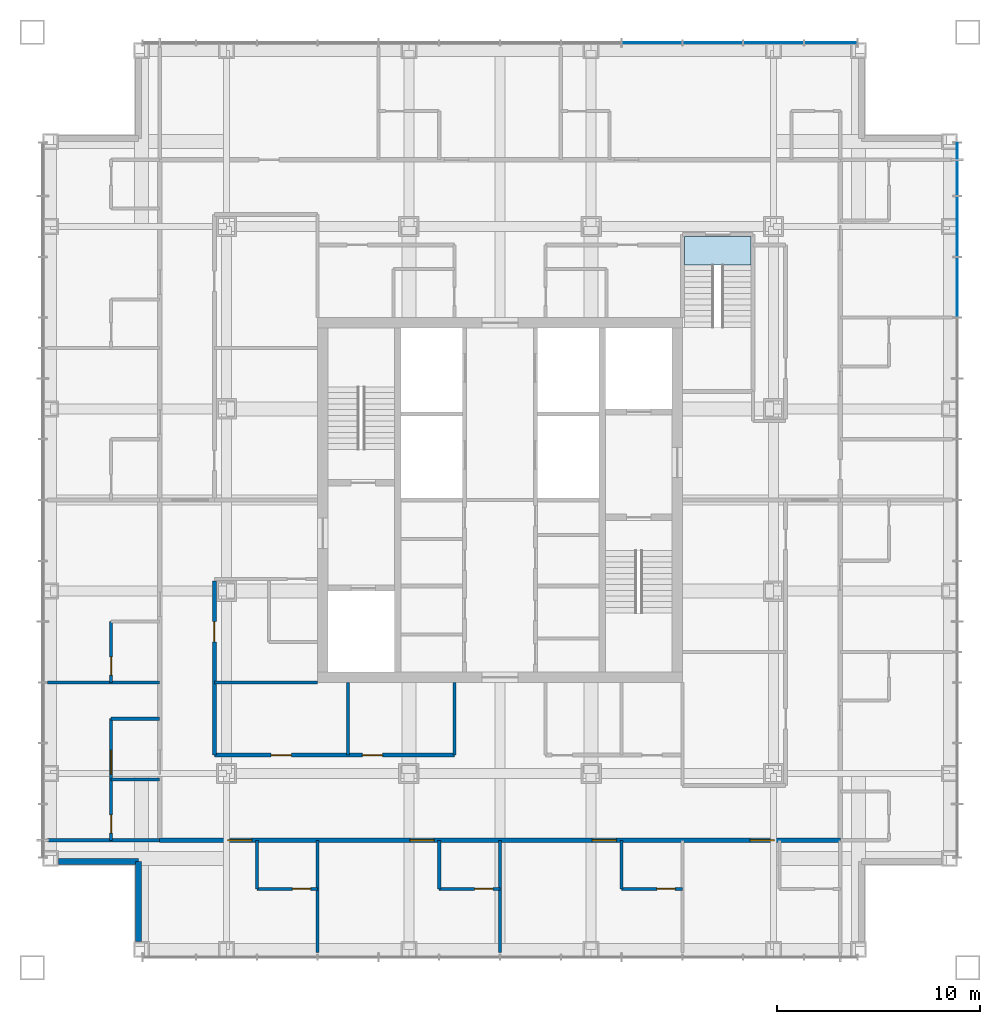
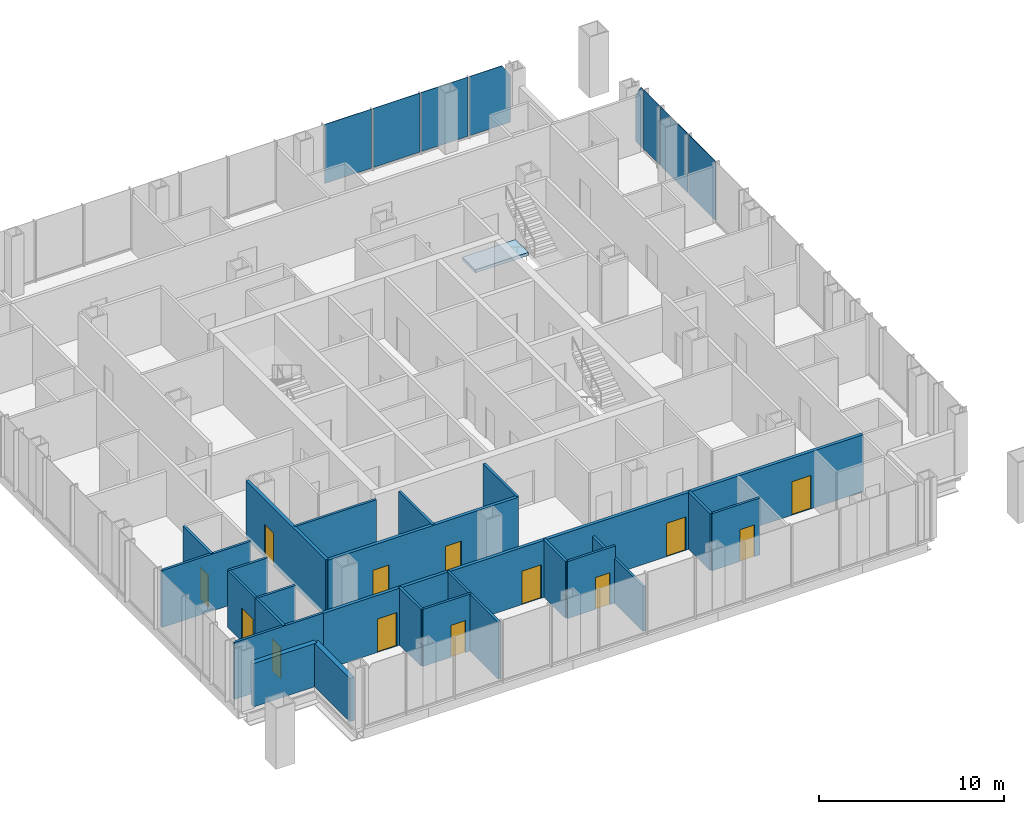
# One storey, part 6 of 11: 23 walls, 13 doors, 8 plates, 1 slab, 13 openings, 3 elements without a shape of their own.
"""IFC4 building model written with IfcOpenShell, lengths in metres."""

from ifc_helpers import new_model, si_unit, direction, frame, frame_2d, origin, origin_2d, place, context, subcontext, project, spatial, polyline, rectangle, outline, extrude, material, layer, layer_set, type_object, element, fill, aggregate, save


model = new_model("IFC4")

# Units and contexts
model_context = context("Model", 3, precision=1e-05, world=origin(), true_north=direction((0.0, 1.0)))
body_context = subcontext(model_context, "Body", "Model", "MODEL_VIEW")
ifc_project = project(units=[si_unit("LENGTHUNIT", "METRE"), si_unit("AREAUNIT", "SQUARE_METRE"), si_unit("VOLUMEUNIT", "CUBIC_METRE"), si_unit("PLANEANGLEUNIT", "RADIAN"), si_unit("MASSUNIT", "GRAM", prefix="KILO")], contexts=[model_context])

# Site, building, storey
site_placement = place(None, origin())
site = spatial("IfcSite", under=ifc_project, at=site_placement, CompositionType="ELEMENT")
building_placement = place(site_placement, origin())
building = spatial("IfcBuilding", under=site, at=building_placement, Name="Malebo Sky Hospital", CompositionType="ELEMENT")
storey_placement = place(building_placement, frame((0.0, 0.0, 213.0)))
storey = spatial("IfcBuildingStorey", under=building, at=storey_placement, Name="L51", CompositionType="ELEMENT", Elevation=213.0)

# Stair, slab
ifc_material_1 = material(Name="Concrete C40/50", Category="concrete")
stair_type = type_object("IfcStairType", Name="HALF-TURN STAIR 1400 R167", PredefinedType="HALF_TURN_STAIR", material=ifc_material_1)
stair_placement = place(storey_placement, origin())
stair = element("IfcStair", 1, at=stair_placement, inside=storey, type_object=stair_type, Name="Stair S3 L51 type ST1B", PredefinedType="HALF_TURN_STAIR")
ifc_layer_1 = layer(ifc_material_1, 0.199951171875)
ifc_layer_set_1 = layer_set([ifc_layer_1], Name="STAIR LANDING 200")
slab_type = type_object("IfcSlabType", Name="STAIR LANDING 200", PredefinedType="LANDING", material=ifc_layer_set_1)
slab_placement = place(storey_placement, frame((0.0, 0.0, -0.199951171875)))
slab = element("IfcSlab", 2, at=slab_placement, type_object=slab_type, Name="S3 landing 1", PredefinedType="LANDING", context=body_context, shape_type="SweptSolid", body=[
    extrude(outline(polyline([(69.10009765625, 73.60009765625), (72.39990234375, 73.60009765625), (72.39990234375, 75.0), (69.10009765625, 75.0), (69.10009765625, 73.60009765625)])), origin(), (0.0, 0.0, 1.0), 0.199951171875),
])
aggregate(stair, [slab])

# Curtain wall, plates
ifc_material_2 = material(Name="Anodised aluminium, natural silver", Category="aluminium")
ifc_layer_2 = layer(ifc_material_2, 0.25)
ifc_layer_set_2 = layer_set([ifc_layer_2], Name="WARD CURTAIN WALL NORTH AND SOUTH")
curtain_wall_type_1 = type_object("IfcCurtainWallType", Name="WARD CURTAIN WALL NORTH AND SOUTH", PredefinedType="NOTDEFINED", material=ifc_layer_set_2)
curtain_wall_1_placement = place(storey_placement, origin())
curtain_wall_1 = element("IfcCurtainWall", 3, at=curtain_wall_1_placement, inside=storey, type_object=curtain_wall_type_1, Name="NS curtain wall N", PredefinedType="NOTDEFINED")
ifc_material_3 = material(Name="Clear low-iron double glazing", Category="glass")
ifc_layer_3 = layer(ifc_material_3, 0.031982421875)
ifc_layer_set_3 = layer_set([ifc_layer_3], Name="VISION PANEL CLEAR 32")
plate_type = type_object("IfcPlateType", Name="VISION PANEL CLEAR 32", PredefinedType="CURTAIN_PANEL", material=ifc_layer_set_3)
plate_1_placement = place(storey_placement, frame((67.5, 84.574951171875, 0.10009765625), z_axis=(0.0, 0.0, 1.0), x_axis=(1.0, 0.0, 0.0)))
plate_1 = element("IfcPlate", 4, at=plate_1_placement, type_object=plate_type, Name="Panel 10", PredefinedType="CURTAIN_PANEL", context=body_context, shape_type="SweptSolid", body=[
    extrude(rectangle(XDim=2.925048828125, YDim=0.031982421875, at=origin_2d()), origin(), (0.0, 0.0, 1.0), 3.889892578125),
])
plate_2_placement = place(storey_placement, frame((70.5, 84.574951171875, 0.10009765625), z_axis=(0.0, 0.0, 1.0), x_axis=(1.0, 0.0, 0.0)))
plate_2 = element("IfcPlate", 5, at=plate_2_placement, type_object=plate_type, Name="Panel 11", PredefinedType="CURTAIN_PANEL", context=body_context, shape_type="SweptSolid", body=[
    extrude(rectangle(XDim=2.925048828125, YDim=0.031982421875, at=origin_2d()), origin(), (0.0, 0.0, 1.0), 3.889892578125),
])
plate_3_placement = place(storey_placement, frame((73.5, 84.574951171875, 0.10009765625), z_axis=(0.0, 0.0, 1.0), x_axis=(1.0, 0.0, 0.0)))
plate_3 = element("IfcPlate", 6, at=plate_3_placement, type_object=plate_type, Name="Panel 12", PredefinedType="CURTAIN_PANEL", context=body_context, shape_type="SweptSolid", body=[
    extrude(rectangle(XDim=2.925048828125, YDim=0.031982421875, at=origin_2d()), origin(), (0.0, 0.0, 1.0), 3.889892578125),
])
plate_4_placement = place(storey_placement, frame((76.331298828125, 84.574951171875, 0.10009765625), z_axis=(0.0, 0.0, 1.0), x_axis=(1.0, 0.0, 0.0)))
plate_4 = element("IfcPlate", 7, at=plate_4_placement, type_object=plate_type, Name="Panel 13", PredefinedType="CURTAIN_PANEL", context=body_context, shape_type="SweptSolid", body=[
    extrude(outline(polyline([(-1.293701171875, 0.0), (1.293701171875, 0.0), (1.293701171875, 3.0595703125), (0.760986328125, 3.889892578125), (-1.293701171875, 3.889892578125), (-1.293701171875, 0.0)])), frame((0.0, 0.01611328125, 0.0), z_axis=(0.0, -1.0, 0.0), x_axis=(1.0, 0.0, 0.0)), (0.0, 0.0, 1.0), 0.031982421875),
])
aggregate(curtain_wall_1, [plate_1, plate_2, plate_3, plate_4])

ifc_layer_4 = layer(ifc_material_2, 0.25)
ifc_layer_set_4 = layer_set([ifc_layer_4], Name="WARD CURTAIN WALL EAST AND WEST")
curtain_wall_type_2 = type_object("IfcCurtainWallType", Name="WARD CURTAIN WALL EAST AND WEST", PredefinedType="NOTDEFINED", material=ifc_layer_set_4)
curtain_wall_2_placement = place(storey_placement, origin())
curtain_wall_2 = element("IfcCurtainWall", 8, at=curtain_wall_2_placement, inside=storey, type_object=curtain_wall_type_2, Name="EW curtain wall E", PredefinedType="NOTDEFINED")
plate_5_placement = place(storey_placement, frame((82.574951171875, 79.231201171875, 0.10009765625), z_axis=(0.0, 0.0, 1.0), x_axis=(0.0, -1.0, 0.0)))
plate_5 = element("IfcPlate", 9, at=plate_5_placement, type_object=plate_type, Name="Panel 1", PredefinedType="CURTAIN_PANEL", context=body_context, shape_type="SweptSolid", body=[
    extrude(outline(polyline([(-0.393798828125, 0.0), (0.393798828125, 0.0), (0.393798828125, 3.889892578125), (0.13916015625, 3.889892578125), (-0.393798828125, 3.0595703125), (-0.393798828125, 0.0)])), frame((0.0, 0.01611328125, 0.0), z_axis=(0.0, -1.0, 0.0), x_axis=(1.0, 0.0, 0.0)), (0.0, 0.0, 1.0), 0.031982421875),
])
plate_6_placement = place(storey_placement, frame((82.574951171875, 77.89990234375, 0.10009765625), z_axis=(0.0, 0.0, 1.0), x_axis=(0.0, -1.0, 0.0)))
plate_6 = element("IfcPlate", 10, at=plate_6_placement, type_object=plate_type, Name="Panel 2", PredefinedType="CURTAIN_PANEL", context=body_context, shape_type="SweptSolid", body=[
    extrude(rectangle(XDim=1.72509765625, YDim=0.031982421875, at=origin_2d()), origin(), (0.0, 0.0, 1.0), 3.889892578125),
])
plate_7_placement = place(storey_placement, frame((82.574951171875, 75.5, 0.10009765625), z_axis=(0.0, 0.0, 1.0), x_axis=(0.0, -1.0, 0.0)))
plate_7 = element("IfcPlate", 11, at=plate_7_placement, type_object=plate_type, Name="Panel 3", PredefinedType="CURTAIN_PANEL", context=body_context, shape_type="SweptSolid", body=[
    extrude(rectangle(XDim=2.925048828125, YDim=0.031982421875, at=origin_2d()), origin(), (0.0, 0.0, 1.0), 3.889892578125),
])
plate_8_placement = place(storey_placement, frame((82.574951171875, 72.5, 0.10009765625), z_axis=(0.0, 0.0, 1.0), x_axis=(0.0, -1.0, 0.0)))
plate_8 = element("IfcPlate", 12, at=plate_8_placement, type_object=plate_type, Name="Panel 4", PredefinedType="CURTAIN_PANEL", context=body_context, shape_type="SweptSolid", body=[
    extrude(rectangle(XDim=2.925048828125, YDim=0.031982421875, at=origin_2d()), origin(), (0.0, 0.0, 1.0), 3.889892578125),
])
aggregate(curtain_wall_2, [plate_5, plate_6, plate_7, plate_8])

# Wall, opening, door
ifc_material_4 = material(Name="Gypsum board on steel studs", Category="steel")
ifc_layer_5 = layer(ifc_material_4, 0.199951171875)
ifc_layer_set_5 = layer_set([ifc_layer_5], Name="CORRIDOR WALL 200")
wall_type_1 = type_object("IfcWallType", Name="CORRIDOR WALL 200", PredefinedType="PARTITIONING", material=ifc_layer_set_5)
wall_1_placement = place(storey_placement, frame((45.89990234375, 49.39990234375, 0.0), z_axis=(0.0, 0.0, 1.0), x_axis=(0.0, 1.0, 0.0)))
wall_1 = element("IfcWall", 13, at=wall_1_placement, inside=storey, type_object=wall_type_1, Name="Corridor Wall 200 WCI1", PredefinedType="PARTITIONING", context=body_context, shape_type="SweptSolid", body=[
    extrude(rectangle(XDim=8.60009765625, YDim=0.199951171875, at=frame_2d((4.300048828125, 0.0))), origin(), (0.0, 0.0, 1.0), 3.75),
])
opening_1_placement = place(wall_1_placement, frame((5.60009765625, 0.0, 0.0)))
opening_1 = element("IfcOpeningElement", 14, at=opening_1_placement, cuts=wall_1, Name="Opening D03", PredefinedType="OPENING", context=body_context, shape_type="SweptSolid", body=[
    extrude(rectangle(XDim=1.0, YDim=2.10009765625, at=frame_2d((0.5, 1.050048828125))), frame((0.0, 0.10986328125, 0.0), z_axis=(0.0, -1.0, 0.0), x_axis=(1.0, 0.0, 0.0)), (0.0, 0.0, 1.0), 0.219970703125),
])
ifc_material_5 = material(Name="Hardwood-faced door leaf in steel frame", Category="steel")
door_type_1 = type_object("IfcDoorType", Name="ROOM DOOR 1000", OperationType="SINGLE_SWING_LEFT", PredefinedType="DOOR", material=ifc_material_5)
door_1_placement = place(opening_1_placement, origin())
door_1 = element("IfcDoor", 15, at=door_1_placement, inside=storey, type_object=door_type_1, Name="Medication room door", OperationType="SINGLE_SWING_LEFT", OverallHeight=2.10009765625, OverallWidth=1.0, PredefinedType="DOOR", context=body_context, shape_type="SweptSolid", body=[
    extrude(rectangle(XDim=1.0, YDim=2.10009765625, at=frame_2d((0.5, 1.050048828125))), frame((0.0, 0.02490234375, 0.0), z_axis=(0.0, -1.0, 0.0), x_axis=(1.0, 0.0, 0.0)), (0.0, 0.0, 1.0), 0.050048828125),
])
fill(opening_1, door_1)

# Wall, openings, doors
wall_2_placement = place(storey_placement, frame((76.800048828125, 45.199951171875, 0.0), z_axis=(0.0, 0.0, 1.0), x_axis=(-1.0, 0.0, 0.0)))
wall_2 = element("IfcWall", 16, at=wall_2_placement, inside=storey, type_object=wall_type_1, Name="Corridor Wall 200 SCO", PredefinedType="PARTITIONING", context=body_context, shape_type="SweptSolid", body=[
    extrude(rectangle(XDim=33.60009765625, YDim=0.199951171875, at=frame_2d((16.800048828125, 0.0))), origin(), (0.0, 0.0, 1.0), 3.75),
])
opening_2_placement = place(wall_2_placement, frame((3.25, 0.0, 0.0)))
opening_2 = element("IfcOpeningElement", 17, at=opening_2_placement, cuts=wall_2, Name="Opening D01", PredefinedType="OPENING", context=body_context, shape_type="SweptSolid", body=[
    extrude(rectangle(XDim=1.199951171875, YDim=2.199951171875, at=frame_2d((0.60009765625, 1.10009765625))), frame((0.0, 0.10986328125, 0.0), z_axis=(0.0, -1.0, 0.0), x_axis=(1.0, 0.0, 0.0)), (0.0, 0.0, 1.0), 0.219970703125),
])
opening_3_placement = place(wall_2_placement, frame((11.050048828125, 0.0, 0.0)))
opening_3 = element("IfcOpeningElement", 18, at=opening_3_placement, cuts=wall_2, Name="Opening D01", PredefinedType="OPENING", context=body_context, shape_type="SweptSolid", body=[
    extrude(rectangle(XDim=1.199951171875, YDim=2.199951171875, at=frame_2d((0.60009765625, 1.10009765625))), frame((0.0, 0.10986328125, 0.0), z_axis=(0.0, -1.0, 0.0), x_axis=(1.0, 0.0, 0.0)), (0.0, 0.0, 1.0), 0.219970703125),
])
opening_4_placement = place(wall_2_placement, frame((20.050048828125, 0.0, 0.0)))
opening_4 = element("IfcOpeningElement", 19, at=opening_4_placement, cuts=wall_2, Name="Opening D01", PredefinedType="OPENING", context=body_context, shape_type="SweptSolid", body=[
    extrude(rectangle(XDim=1.199951171875, YDim=2.199951171875, at=frame_2d((0.60009765625, 1.10009765625))), frame((0.0, 0.10986328125, 0.0), z_axis=(0.0, -1.0, 0.0), x_axis=(1.0, 0.0, 0.0)), (0.0, 0.0, 1.0), 0.219970703125),
])
opening_5_placement = place(wall_2_placement, frame((29.050048828125, 0.0, 0.0)))
opening_5 = element("IfcOpeningElement", 20, at=opening_5_placement, cuts=wall_2, Name="Opening D01", PredefinedType="OPENING", context=body_context, shape_type="SweptSolid", body=[
    extrude(rectangle(XDim=1.199951171875, YDim=2.199951171875, at=frame_2d((0.60009765625, 1.10009765625))), frame((0.0, 0.10986328125, 0.0), z_axis=(0.0, -1.0, 0.0), x_axis=(1.0, 0.0, 0.0)), (0.0, 0.0, 1.0), 0.219970703125),
])
door_type_2 = type_object("IfcDoorType", Name="BED DOOR 1200", OperationType="SINGLE_SWING_LEFT", PredefinedType="DOOR", material=ifc_material_5)
door_2_placement = place(opening_2_placement, origin())
door_2 = element("IfcDoor", 21, at=door_2_placement, inside=storey, type_object=door_type_2, Name="Two-bed room door", OperationType="SINGLE_SWING_LEFT", OverallHeight=2.199951171875, OverallWidth=1.199951171875, PredefinedType="DOOR", context=body_context, shape_type="SweptSolid", body=[
    extrude(rectangle(XDim=1.199951171875, YDim=2.199951171875, at=frame_2d((0.60009765625, 1.10009765625))), frame((0.0, 0.02490234375, 0.0), z_axis=(0.0, -1.0, 0.0), x_axis=(1.0, 0.0, 0.0)), (0.0, 0.0, 1.0), 0.050048828125),
])
fill(opening_2, door_2)
door_3_placement = place(opening_3_placement, origin())
door_3 = element("IfcDoor", 22, at=door_3_placement, inside=storey, type_object=door_type_2, Name="Two-bed room door", OperationType="SINGLE_SWING_LEFT", OverallHeight=2.199951171875, OverallWidth=1.199951171875, PredefinedType="DOOR", context=body_context, shape_type="SweptSolid", body=[
    extrude(rectangle(XDim=1.199951171875, YDim=2.199951171875, at=frame_2d((0.60009765625, 1.10009765625))), frame((0.0, 0.02490234375, 0.0), z_axis=(0.0, -1.0, 0.0), x_axis=(1.0, 0.0, 0.0)), (0.0, 0.0, 1.0), 0.050048828125),
])
fill(opening_3, door_3)
door_4_placement = place(opening_4_placement, origin())
door_4 = element("IfcDoor", 23, at=door_4_placement, inside=storey, type_object=door_type_2, Name="Two-bed room door", OperationType="SINGLE_SWING_LEFT", OverallHeight=2.199951171875, OverallWidth=1.199951171875, PredefinedType="DOOR", context=body_context, shape_type="SweptSolid", body=[
    extrude(rectangle(XDim=1.199951171875, YDim=2.199951171875, at=frame_2d((0.60009765625, 1.10009765625))), frame((0.0, 0.02490234375, 0.0), z_axis=(0.0, -1.0, 0.0), x_axis=(1.0, 0.0, 0.0)), (0.0, 0.0, 1.0), 0.050048828125),
])
fill(opening_4, door_4)
door_5_placement = place(opening_5_placement, origin())
door_5 = element("IfcDoor", 24, at=door_5_placement, inside=storey, type_object=door_type_2, Name="Two-bed room door", OperationType="SINGLE_SWING_LEFT", OverallHeight=2.199951171875, OverallWidth=1.199951171875, PredefinedType="DOOR", context=body_context, shape_type="SweptSolid", body=[
    extrude(rectangle(XDim=1.199951171875, YDim=2.199951171875, at=frame_2d((0.60009765625, 1.10009765625))), frame((0.0, 0.02490234375, 0.0), z_axis=(0.0, -1.0, 0.0), x_axis=(1.0, 0.0, 0.0)), (0.0, 0.0, 1.0), 0.050048828125),
])
fill(opening_5, door_5)

wall_3_placement = place(storey_placement, frame((57.75, 49.39990234375, 0.0), z_axis=(0.0, 0.0, 1.0), x_axis=(-1.0, 0.0, 0.0)))
wall_3 = element("IfcWall", 25, at=wall_3_placement, inside=storey, type_object=wall_type_1, Name="Corridor Wall 200 SCI2", PredefinedType="PARTITIONING", context=body_context, shape_type="SweptSolid", body=[
    extrude(rectangle(XDim=11.85009765625, YDim=0.199951171875, at=frame_2d((5.925048828125, 0.0))), origin(), (0.0, 0.0, 1.0), 3.75),
])
opening_6_placement = place(wall_3_placement, frame((3.550048828125, 0.0, 0.0)))
opening_6 = element("IfcOpeningElement", 26, at=opening_6_placement, cuts=wall_3, Name="Opening D03", PredefinedType="OPENING", context=body_context, shape_type="SweptSolid", body=[
    extrude(rectangle(XDim=1.0, YDim=2.10009765625, at=frame_2d((0.5, 1.050048828125))), frame((0.0, 0.10986328125, 0.0), z_axis=(0.0, -1.0, 0.0), x_axis=(1.0, 0.0, 0.0)), (0.0, 0.0, 1.0), 0.219970703125),
])
opening_7_placement = place(wall_3_placement, frame((8.050048828125, 0.0, 0.0)))
opening_7 = element("IfcOpeningElement", 27, at=opening_7_placement, cuts=wall_3, Name="Opening D03", PredefinedType="OPENING", context=body_context, shape_type="SweptSolid", body=[
    extrude(rectangle(XDim=1.0, YDim=2.10009765625, at=frame_2d((0.5, 1.050048828125))), frame((0.0, 0.10986328125, 0.0), z_axis=(0.0, -1.0, 0.0), x_axis=(1.0, 0.0, 0.0)), (0.0, 0.0, 1.0), 0.219970703125),
])
door_6_placement = place(opening_6_placement, origin())
door_6 = element("IfcDoor", 28, at=door_6_placement, inside=storey, type_object=door_type_1, Name="Clean utility room door", OperationType="SINGLE_SWING_RIGHT", OverallHeight=2.10009765625, OverallWidth=1.0, PredefinedType="DOOR", context=body_context, shape_type="SweptSolid", body=[
    extrude(rectangle(XDim=1.0, YDim=2.10009765625, at=frame_2d((0.5, 1.050048828125))), frame((0.0, 0.02490234375, 0.0), z_axis=(0.0, -1.0, 0.0), x_axis=(1.0, 0.0, 0.0)), (0.0, 0.0, 1.0), 0.050048828125),
])
fill(opening_6, door_6)
door_7_placement = place(opening_7_placement, origin())
door_7 = element("IfcDoor", 29, at=door_7_placement, inside=storey, type_object=door_type_1, Name="Parents' kitchen door", OperationType="SINGLE_SWING_RIGHT", OverallHeight=2.10009765625, OverallWidth=1.0, PredefinedType="DOOR", context=body_context, shape_type="SweptSolid", body=[
    extrude(rectangle(XDim=1.0, YDim=2.10009765625, at=frame_2d((0.5, 1.050048828125))), frame((0.0, 0.02490234375, 0.0), z_axis=(0.0, -1.0, 0.0), x_axis=(1.0, 0.0, 0.0)), (0.0, 0.0, 1.0), 0.050048828125),
])
fill(opening_7, door_7)

# Walls
ifc_material_6 = material(Name="Anodised aluminium rainscreen on steel framing", Category="steel")
ifc_layer_6 = layer(ifc_material_6, 0.300048828125)
ifc_layer_set_6 = layer_set([ifc_layer_6], Name="NOTCH RAINSCREEN WALL 300")
wall_type_2 = type_object("IfcWallType", Name="NOTCH RAINSCREEN WALL 300", PredefinedType="ELEMENTEDWALL", material=ifc_layer_set_6)
for number, where, z_axis, x_axis, name in (
    (30, (42.14990234375, 40.199951171875, 0.0), (0.0, 0.0, 1.0), (0.0, 1.0, 0.0), "Notch rainscreen wall S1 L51"),
    (31, (42.14990234375, 44.14990234375, 0.0), (0.0, 0.0, 1.0), (-1.0, 0.0, 0.0), "Notch rainscreen wall S2 L51"),
):
    element("IfcWall", number, at=place(storey_placement, frame(where, z_axis=z_axis, x_axis=x_axis)), inside=storey, type_object=wall_type_2, Name=name, PredefinedType="ELEMENTEDWALL", context=body_context, shape_type="SweptSolid", body=[
        extrude(rectangle(XDim=3.949951171875, YDim=0.300048828125, at=frame_2d((1.97509765625, 0.0))), origin(), (0.0, 0.0, 1.0), 2.85009765625),
    ])
ifc_layer_7 = layer(ifc_material_4, 0.14990234375)
ifc_layer_set_7 = layer_set([ifc_layer_7], Name="PARTITION 150")
wall_type_3 = type_object("IfcWallType", Name="PARTITION 150", PredefinedType="PARTITIONING", material=ifc_layer_set_7)
for number, where, z_axis, x_axis, name in (
    (32, (43.199951171875, 53.0, 0.0), (0.0, 0.0, 1.0), (-1.0, 0.0, 0.0), "Partition 150 WP-9.0"),
    (33, (43.199951171875, 45.199951171875, 0.0), (0.0, 0.0, 1.0), (-1.0, 0.0, 0.0), "Partition 150 WP0"),
):
    element("IfcWall", number, at=place(storey_placement, frame(where, z_axis=z_axis, x_axis=x_axis)), inside=storey, type_object=wall_type_3, Name=name, PredefinedType="PARTITIONING", context=body_context, shape_type="SweptSolid", body=[
        extrude(rectangle(XDim=5.550048828125, YDim=0.14990234375, at=frame_2d((2.77490234375, 0.0))), origin(), (0.0, 0.0, 1.0), 3.75),
    ])

# Wall, opening, door
wall_4_placement = place(storey_placement, frame((40.800048828125, 45.199951171875, 0.0), z_axis=(0.0, 0.0, 1.0), x_axis=(0.0, 1.0, 0.0)))
wall_4 = element("IfcWall", 34, at=wall_4_placement, inside=storey, type_object=wall_type_3, Name="Partition 150 WE0F", PredefinedType="PARTITIONING", context=body_context, shape_type="SweptSolid", body=[
    extrude(rectangle(XDim=3.0, YDim=0.14990234375, at=frame_2d((1.5, 0.0))), origin(), (0.0, 0.0, 1.0), 3.75),
])
opening_8_placement = place(wall_4_placement, frame((0.35009765625, 0.0, 0.0)))
opening_8 = element("IfcOpeningElement", 35, at=opening_8_placement, cuts=wall_4, Name="Opening D02", PredefinedType="OPENING", context=body_context, shape_type="SweptSolid", body=[
    extrude(rectangle(XDim=0.89990234375, YDim=2.10009765625, at=frame_2d((0.449951171875, 1.050048828125))), frame((0.0, 0.0849609375, 0.0), z_axis=(0.0, -1.0, 0.0), x_axis=(1.0, 0.0, 0.0)), (0.0, 0.0, 1.0), 0.169921875),
])
door_type_3 = type_object("IfcDoorType", Name="EN-SUITE DOOR 900", OperationType="SINGLE_SWING_LEFT", PredefinedType="DOOR", material=ifc_material_5)
door_8_placement = place(opening_8_placement, origin())
door_8 = element("IfcDoor", 36, at=door_8_placement, inside=storey, type_object=door_type_3, Name="En-suite door", OperationType="SINGLE_SWING_LEFT", OverallHeight=2.10009765625, OverallWidth=0.89990234375, PredefinedType="DOOR", context=body_context, shape_type="SweptSolid", body=[
    extrude(rectangle(XDim=0.89990234375, YDim=2.10009765625, at=frame_2d((0.449951171875, 1.050048828125))), frame((0.0, 0.02490234375, 0.0), z_axis=(0.0, -1.0, 0.0), x_axis=(1.0, 0.0, 0.0)), (0.0, 0.0, 1.0), 0.050048828125),
])
fill(opening_8, door_8)

# Wall
wall_5_placement = place(storey_placement, frame((43.199951171875, 48.199951171875, 0.0), z_axis=(0.0, 0.0, 1.0), x_axis=(-1.0, 0.0, 0.0)))
element("IfcWall", 37, at=wall_5_placement, inside=storey, type_object=wall_type_3, Name="Partition 150 WE0S", PredefinedType="PARTITIONING", context=body_context, shape_type="SweptSolid", body=[
    extrude(rectangle(XDim=2.39990234375, YDim=0.14990234375, at=frame_2d((1.199951171875, 0.0))), origin(), (0.0, 0.0, 1.0), 3.75),
])

# Wall, opening, door
wall_6_placement = place(storey_placement, frame((40.800048828125, 53.0, 0.0), z_axis=(0.0, 0.0, 1.0), x_axis=(0.0, 1.0, 0.0)))
wall_6 = element("IfcWall", 38, at=wall_6_placement, inside=storey, type_object=wall_type_3, Name="Partition 150 WE1F", PredefinedType="PARTITIONING", context=body_context, shape_type="SweptSolid", body=[
    extrude(rectangle(XDim=3.0, YDim=0.14990234375, at=frame_2d((1.5, 0.0))), origin(), (0.0, 0.0, 1.0), 3.75),
])
opening_9_placement = place(wall_6_placement, frame((0.35009765625, 0.0, 0.0)))
opening_9 = element("IfcOpeningElement", 39, at=opening_9_placement, cuts=wall_6, Name="Opening D02", PredefinedType="OPENING", context=body_context, shape_type="SweptSolid", body=[
    extrude(rectangle(XDim=0.89990234375, YDim=2.10009765625, at=frame_2d((0.449951171875, 1.050048828125))), frame((0.0, 0.0849609375, 0.0), z_axis=(0.0, -1.0, 0.0), x_axis=(1.0, 0.0, 0.0)), (0.0, 0.0, 1.0), 0.169921875),
])
door_9_placement = place(opening_9_placement, origin())
door_9 = element("IfcDoor", 40, at=door_9_placement, inside=storey, type_object=door_type_3, Name="En-suite door", OperationType="SINGLE_SWING_LEFT", OverallHeight=2.10009765625, OverallWidth=0.89990234375, PredefinedType="DOOR", context=body_context, shape_type="SweptSolid", body=[
    extrude(rectangle(XDim=0.89990234375, YDim=2.10009765625, at=frame_2d((0.449951171875, 1.050048828125))), frame((0.0, 0.02490234375, 0.0), z_axis=(0.0, -1.0, 0.0), x_axis=(1.0, 0.0, 0.0)), (0.0, 0.0, 1.0), 0.050048828125),
])
fill(opening_9, door_9)

# Walls
wall_7_placement = place(storey_placement, frame((51.0, 53.0, 0.0), z_axis=(0.0, 0.0, 1.0), x_axis=(-1.0, 0.0, 0.0)))
element("IfcWall", 41, at=wall_7_placement, inside=storey, type_object=wall_type_3, Name="Partition 150 WSP0", PredefinedType="PARTITIONING", context=body_context, shape_type="SweptSolid", body=[
    extrude(rectangle(XDim=5.10009765625, YDim=0.14990234375, at=frame_2d((2.550048828125, 0.0))), origin(), (0.0, 0.0, 1.0), 3.75),
])
wall_8_placement = place(storey_placement, frame((60.0, 45.199951171875, 0.0), z_axis=(0.0, 0.0, 1.0), x_axis=(0.0, -1.0, 0.0)))
element("IfcWall", 42, at=wall_8_placement, inside=storey, type_object=wall_type_3, Name="Partition 150 SP+0.0", PredefinedType="PARTITIONING", context=body_context, shape_type="SweptSolid", body=[
    extrude(rectangle(XDim=5.550048828125, YDim=0.14990234375, at=frame_2d((2.77490234375, 0.0))), origin(), (0.0, 0.0, 1.0), 2.949951171875),
])
wall_9_placement = place(storey_placement, frame((51.0, 45.199951171875, 0.0), z_axis=(0.0, 0.0, 1.0), x_axis=(0.0, -1.0, 0.0)))
element("IfcWall", 43, at=wall_9_placement, inside=storey, type_object=wall_type_3, Name="Partition 150 SP+9.0", PredefinedType="PARTITIONING", context=body_context, shape_type="SweptSolid", body=[
    extrude(rectangle(XDim=5.550048828125, YDim=0.14990234375, at=frame_2d((2.77490234375, 0.0))), origin(), (0.0, 0.0, 1.0), 3.75),
])

# Wall, opening, door
wall_10_placement = place(storey_placement, frame((69.0, 42.800048828125, 0.0), z_axis=(0.0, 0.0, 1.0), x_axis=(-1.0, 0.0, 0.0)))
wall_10 = element("IfcWall", 44, at=wall_10_placement, inside=storey, type_object=wall_type_3, Name="Partition 150 SE1F", PredefinedType="PARTITIONING", context=body_context, shape_type="SweptSolid", body=[
    extrude(rectangle(XDim=3.0, YDim=0.14990234375, at=frame_2d((1.5, 0.0))), origin(), (0.0, 0.0, 1.0), 3.75),
])
opening_10_placement = place(wall_10_placement, frame((0.35009765625, 0.0, 0.0)))
opening_10 = element("IfcOpeningElement", 45, at=opening_10_placement, cuts=wall_10, Name="Opening D02", PredefinedType="OPENING", context=body_context, shape_type="SweptSolid", body=[
    extrude(rectangle(XDim=0.89990234375, YDim=2.10009765625, at=frame_2d((0.449951171875, 1.050048828125))), frame((0.0, 0.0849609375, 0.0), z_axis=(0.0, -1.0, 0.0), x_axis=(1.0, 0.0, 0.0)), (0.0, 0.0, 1.0), 0.169921875),
])
door_10_placement = place(opening_10_placement, origin())
door_10 = element("IfcDoor", 46, at=door_10_placement, inside=storey, type_object=door_type_3, Name="En-suite door", OperationType="SINGLE_SWING_LEFT", OverallHeight=2.10009765625, OverallWidth=0.89990234375, PredefinedType="DOOR", context=body_context, shape_type="SweptSolid", body=[
    extrude(rectangle(XDim=0.89990234375, YDim=2.10009765625, at=frame_2d((0.449951171875, 1.050048828125))), frame((0.0, 0.02490234375, 0.0), z_axis=(0.0, -1.0, 0.0), x_axis=(1.0, 0.0, 0.0)), (0.0, 0.0, 1.0), 0.050048828125),
])
fill(opening_10, door_10)

# Wall
wall_11_placement = place(storey_placement, frame((66.0, 45.199951171875, 0.0), z_axis=(0.0, 0.0, 1.0), x_axis=(0.0, -1.0, 0.0)))
element("IfcWall", 47, at=wall_11_placement, inside=storey, type_object=wall_type_3, Name="Partition 150 SE1S", PredefinedType="PARTITIONING", context=body_context, shape_type="SweptSolid", body=[
    extrude(rectangle(XDim=2.39990234375, YDim=0.14990234375, at=frame_2d((1.199951171875, 0.0))), origin(), (0.0, 0.0, 1.0), 3.75),
])

# Wall, opening, door
wall_12_placement = place(storey_placement, frame((60.0, 42.800048828125, 0.0), z_axis=(0.0, 0.0, 1.0), x_axis=(-1.0, 0.0, 0.0)))
wall_12 = element("IfcWall", 48, at=wall_12_placement, inside=storey, type_object=wall_type_3, Name="Partition 150 SE2F", PredefinedType="PARTITIONING", context=body_context, shape_type="SweptSolid", body=[
    extrude(rectangle(XDim=3.0, YDim=0.14990234375, at=frame_2d((1.5, 0.0))), origin(), (0.0, 0.0, 1.0), 3.75),
])
opening_11_placement = place(wall_12_placement, frame((0.35009765625, 0.0, 0.0)))
opening_11 = element("IfcOpeningElement", 49, at=opening_11_placement, cuts=wall_12, Name="Opening D02", PredefinedType="OPENING", context=body_context, shape_type="SweptSolid", body=[
    extrude(rectangle(XDim=0.89990234375, YDim=2.10009765625, at=frame_2d((0.449951171875, 1.050048828125))), frame((0.0, 0.0849609375, 0.0), z_axis=(0.0, -1.0, 0.0), x_axis=(1.0, 0.0, 0.0)), (0.0, 0.0, 1.0), 0.169921875),
])
door_11_placement = place(opening_11_placement, origin())
door_11 = element("IfcDoor", 50, at=door_11_placement, inside=storey, type_object=door_type_3, Name="En-suite door", OperationType="SINGLE_SWING_LEFT", OverallHeight=2.10009765625, OverallWidth=0.89990234375, PredefinedType="DOOR", context=body_context, shape_type="SweptSolid", body=[
    extrude(rectangle(XDim=0.89990234375, YDim=2.10009765625, at=frame_2d((0.449951171875, 1.050048828125))), frame((0.0, 0.02490234375, 0.0), z_axis=(0.0, -1.0, 0.0), x_axis=(1.0, 0.0, 0.0)), (0.0, 0.0, 1.0), 0.050048828125),
])
fill(opening_11, door_11)

# Wall
wall_13_placement = place(storey_placement, frame((57.0, 45.199951171875, 0.0), z_axis=(0.0, 0.0, 1.0), x_axis=(0.0, -1.0, 0.0)))
element("IfcWall", 51, at=wall_13_placement, inside=storey, type_object=wall_type_3, Name="Partition 150 SE2S", PredefinedType="PARTITIONING", context=body_context, shape_type="SweptSolid", body=[
    extrude(rectangle(XDim=2.39990234375, YDim=0.14990234375, at=frame_2d((1.199951171875, 0.0))), origin(), (0.0, 0.0, 1.0), 3.75),
])

# Wall, opening, door
wall_14_placement = place(storey_placement, frame((51.0, 42.800048828125, 0.0), z_axis=(0.0, 0.0, 1.0), x_axis=(-1.0, 0.0, 0.0)))
wall_14 = element("IfcWall", 52, at=wall_14_placement, inside=storey, type_object=wall_type_3, Name="Partition 150 SE3F", PredefinedType="PARTITIONING", context=body_context, shape_type="SweptSolid", body=[
    extrude(rectangle(XDim=3.0, YDim=0.14990234375, at=frame_2d((1.5, 0.0))), origin(), (0.0, 0.0, 1.0), 3.75),
])
opening_12_placement = place(wall_14_placement, frame((0.35009765625, 0.0, 0.0)))
opening_12 = element("IfcOpeningElement", 53, at=opening_12_placement, cuts=wall_14, Name="Opening D02", PredefinedType="OPENING", context=body_context, shape_type="SweptSolid", body=[
    extrude(rectangle(XDim=0.89990234375, YDim=2.10009765625, at=frame_2d((0.449951171875, 1.050048828125))), frame((0.0, 0.0849609375, 0.0), z_axis=(0.0, -1.0, 0.0), x_axis=(1.0, 0.0, 0.0)), (0.0, 0.0, 1.0), 0.169921875),
])
door_12_placement = place(opening_12_placement, origin())
door_12 = element("IfcDoor", 54, at=door_12_placement, inside=storey, type_object=door_type_3, Name="En-suite door", OperationType="SINGLE_SWING_LEFT", OverallHeight=2.10009765625, OverallWidth=0.89990234375, PredefinedType="DOOR", context=body_context, shape_type="SweptSolid", body=[
    extrude(rectangle(XDim=0.89990234375, YDim=2.10009765625, at=frame_2d((0.449951171875, 1.050048828125))), frame((0.0, 0.02490234375, 0.0), z_axis=(0.0, -1.0, 0.0), x_axis=(1.0, 0.0, 0.0)), (0.0, 0.0, 1.0), 0.050048828125),
])
fill(opening_12, door_12)

# Walls
wall_15_placement = place(storey_placement, frame((48.0, 45.199951171875, 0.0), z_axis=(0.0, 0.0, 1.0), x_axis=(0.0, -1.0, 0.0)))
element("IfcWall", 55, at=wall_15_placement, inside=storey, type_object=wall_type_3, Name="Partition 150 SE3S", PredefinedType="PARTITIONING", context=body_context, shape_type="SweptSolid", body=[
    extrude(rectangle(XDim=2.39990234375, YDim=0.14990234375, at=frame_2d((1.199951171875, 0.0))), origin(), (0.0, 0.0, 1.0), 3.75),
])
for number, where, z_axis, x_axis, name in (
    (56, (57.75, 53.0, 0.0), (0.0, 0.0, 1.0), (0.0, -1.0, 0.0), "Partition 150 SSPB"),
    (57, (52.5, 53.0, 0.0), (0.0, 0.0, 1.0), (0.0, -1.0, 0.0), "Partition 150 SSP+7.5"),
):
    element("IfcWall", number, at=place(storey_placement, frame(where, z_axis=z_axis, x_axis=x_axis)), inside=storey, type_object=wall_type_3, Name=name, PredefinedType="PARTITIONING", context=body_context, shape_type="SweptSolid", body=[
        extrude(rectangle(XDim=3.60009765625, YDim=0.14990234375, at=frame_2d((1.800048828125, 0.0))), origin(), (0.0, 0.0, 1.0), 3.75),
    ])

# Wall, opening, door
ifc_material_7 = material(Name="Sealed gypsum board on steel studs, taped to the slab", Category="steel")
ifc_layer_8 = layer(ifc_material_7, 0.14990234375)
ifc_layer_set_8 = layer_set([ifc_layer_8], Name="SEALED ISOLATION PARTITION 150")
wall_type_4 = type_object("IfcWallType", Name="SEALED ISOLATION PARTITION 150", PredefinedType="PARTITIONING", material=ifc_layer_set_8)
wall_16_placement = place(storey_placement, frame((40.800048828125, 48.199951171875, 0.0), z_axis=(0.0, 0.0, 1.0), x_axis=(0.0, 1.0, 0.0)))
wall_16 = element("IfcWall", 58, at=wall_16_placement, inside=storey, type_object=wall_type_4, Name="Sealed Isolation Partition 150 WA0F", PredefinedType="PARTITIONING", context=body_context, shape_type="SweptSolid", body=[
    extrude(rectangle(XDim=3.0, YDim=0.14990234375, at=frame_2d((1.5, 0.0))), origin(), (0.0, 0.0, 1.0), 3.75),
])
opening_13_placement = place(wall_16_placement, frame((0.25, 0.0, 0.0)))
opening_13 = element("IfcOpeningElement", 59, at=opening_13_placement, cuts=wall_16, Name="Opening D19", PredefinedType="OPENING", context=body_context, shape_type="SweptSolid", body=[
    extrude(rectangle(XDim=1.199951171875, YDim=2.199951171875, at=frame_2d((0.60009765625, 1.10009765625))), frame((0.0, 0.0849609375, 0.0), z_axis=(0.0, -1.0, 0.0), x_axis=(1.0, 0.0, 0.0)), (0.0, 0.0, 1.0), 0.169921875),
])
ifc_material_8 = material(Name="Hardwood-faced door leaf with perimeter seals in steel frame", Category="steel")
door_type_4 = type_object("IfcDoorType", Name="SEALED ISOLATION ROOM DOOR 1200", OperationType="SINGLE_SWING_LEFT", PredefinedType="DOOR", material=ifc_material_8)
door_13_placement = place(opening_13_placement, origin())
door_13 = element("IfcDoor", 60, at=door_13_placement, inside=storey, type_object=door_type_4, Name="Isolation room door", OperationType="SINGLE_SWING_LEFT", OverallHeight=2.199951171875, OverallWidth=1.199951171875, PredefinedType="DOOR", context=body_context, shape_type="SweptSolid", body=[
    extrude(rectangle(XDim=1.199951171875, YDim=2.199951171875, at=frame_2d((0.60009765625, 1.10009765625))), frame((0.0, 0.02490234375, 0.0), z_axis=(0.0, -1.0, 0.0), x_axis=(1.0, 0.0, 0.0)), (0.0, 0.0, 1.0), 0.050048828125),
])
fill(opening_13, door_13)

# Wall
wall_17_placement = place(storey_placement, frame((43.199951171875, 51.199951171875, 0.0), z_axis=(0.0, 0.0, 1.0), x_axis=(-1.0, 0.0, 0.0)))
element("IfcWall", 61, at=wall_17_placement, inside=storey, type_object=wall_type_4, Name="Sealed Isolation Partition 150 WA0S", PredefinedType="PARTITIONING", context=body_context, shape_type="SweptSolid", body=[
    extrude(rectangle(XDim=2.39990234375, YDim=0.14990234375, at=frame_2d((1.199951171875, 0.0))), origin(), (0.0, 0.0, 1.0), 3.75),
])

save(model, "model.ifc")
